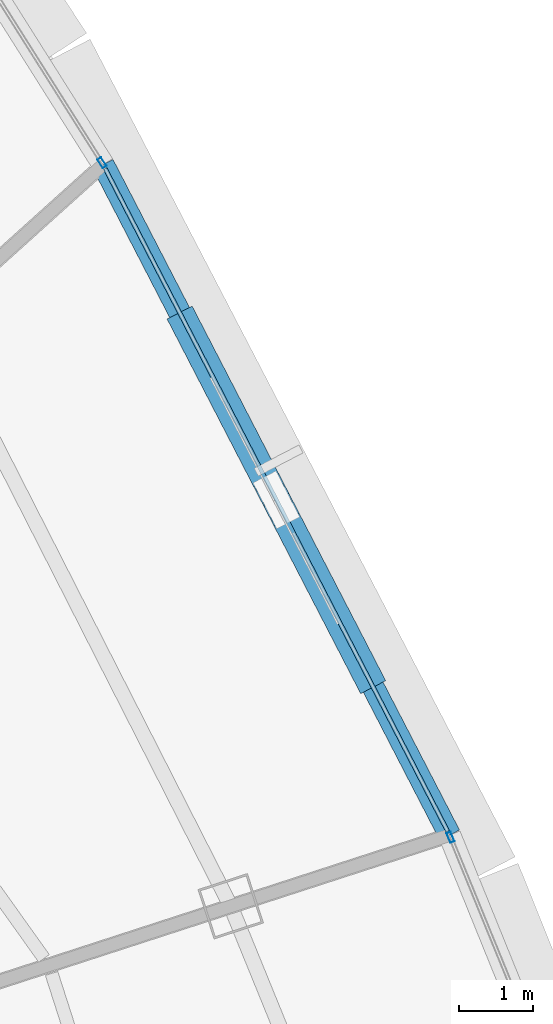
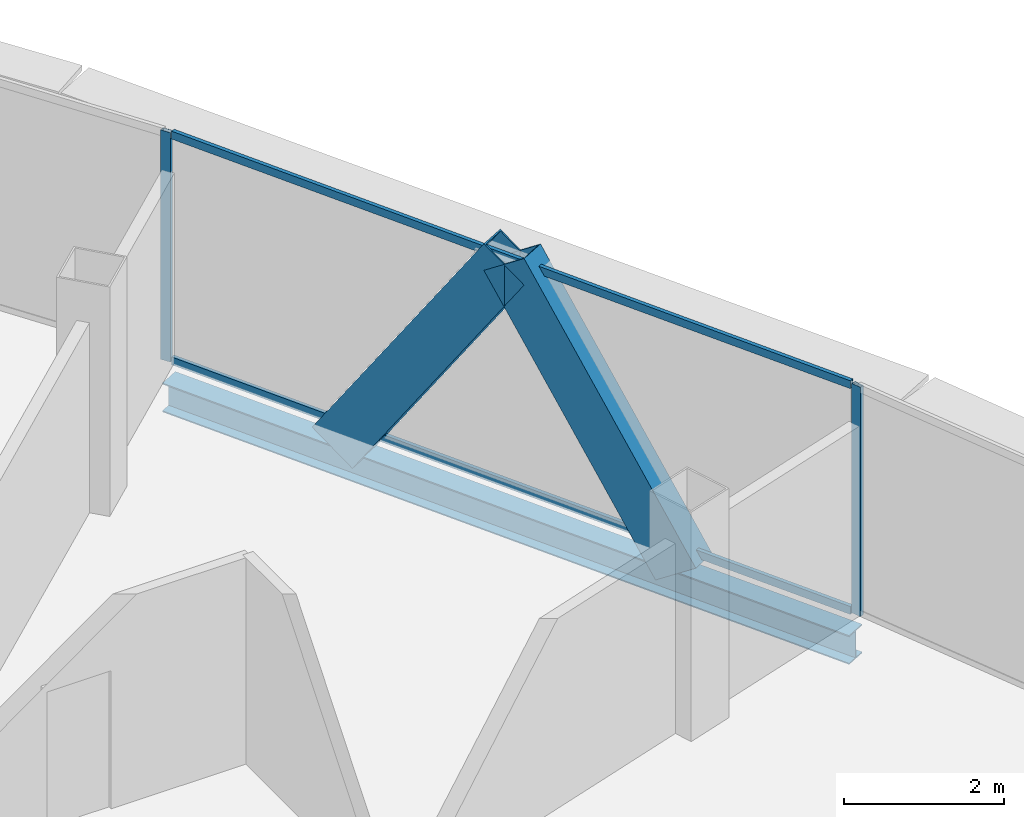
# One storey, part 15 of 26: 6 members, 1 beam, 3 elements without a shape of their own.
"""IFC4 building model written with IfcOpenShell, lengths in metres."""

from ifc_helpers import new_model, si_unit, direction, frame, origin, origin_2d, place, context, subcontext, project, spatial, hollow_rectangle, i_section, extrude, source, transform, mapped, material, layer, layer_set, material_profile, profile_set, type_object, element, aggregate, save


model = new_model("IFC4")

# Units and contexts
model_context = context("Model", 3, precision=1e-05, world=origin(), true_north=direction((0.0, 1.0)))
body_context = subcontext(model_context, "Body", "Model", "MODEL_VIEW")
ifc_project = project(units=[si_unit("LENGTHUNIT", "METRE"), si_unit("AREAUNIT", "SQUARE_METRE"), si_unit("VOLUMEUNIT", "CUBIC_METRE"), si_unit("PLANEANGLEUNIT", "RADIAN"), si_unit("MASSUNIT", "GRAM", prefix="KILO"), si_unit("THERMODYNAMICTEMPERATUREUNIT", "KELVIN"), si_unit("POWERUNIT", "WATT")], contexts=[model_context])

# Site, building, storey
site_placement = place(None, origin())
site = spatial("IfcSite", under=ifc_project, at=site_placement, CompositionType="ELEMENT")
building_placement = place(site_placement, origin())
building = spatial("IfcBuilding", under=site, at=building_placement, Name="Yunzhuo Pagoda Commons", CompositionType="ELEMENT")
storey_placement = place(building_placement, frame((0.0, 0.0, 340.510009765625)))
storey = spatial("IfcBuildingStorey", under=building, at=storey_placement, Name="L85", CompositionType="ELEMENT", Elevation=340.510009765625)

# Beam
ifc_material_1 = material(Name="Structural steel Q355B", Category="steel")
ifc_material_profile_1 = material_profile(ifc_material_1, i_section(OverallWidth=0.300048828125, OverallDepth=0.43994140625, WebThickness=0.010986328125, FlangeThickness=0.01806640625, at=origin_2d()), Name="Structural steel Q355B")
ifc_profile_set_1 = profile_set([ifc_material_profile_1], Name="Structural steel Q355B")
beam_type = type_object("IfcBeamType", Name="B-SP2 Beam HM 440x300x11x18", PredefinedType="BEAM", material=ifc_profile_set_1)
shared_shape_1 = source(origin(), body_context, "Body", "SweptSolid", [
    extrude(i_section(OverallWidth=0.300048828125, OverallDepth=0.43994140625, WebThickness=0.010986328125, FlangeThickness=0.01806640625, at=origin_2d()), origin(), (0.0, 0.0, 1.0), 10.1689453125),
])
beam_placement = place(storey_placement, frame((71.0029296875, 41.174072265625, -0.47998046875), z_axis=(-0.459091744447, 0.888388862031, 0.0), x_axis=(-0.888388862031, -0.459091744447, 0.0)))
element("IfcBeam", 1, at=beam_placement, inside=storey, type_object=beam_type, Name="L85 facade edge spandrel beam F2.2", PredefinedType="BEAM", context=body_context, shape_type="MappedRepresentation", body=[
    mapped(shared_shape_1, transform((0.0, 0.0, 0.0), scale=1.0)),
])

# Members
ifc_material_profile_2 = material_profile(ifc_material_1, hollow_rectangle(XDim=0.3798828125, YDim=0.719970703125, WallThickness=0.02001953125, at=origin_2d()), Name="Structural steel Q355B")
ifc_profile_set_2 = profile_set([ifc_material_profile_2], Name="Structural steel Q355B")
member_type_1 = type_object("IfcMemberType", Name="M-DL3 Brace BOX 720x380x20", PredefinedType="BRACE", material=ifc_profile_set_2)
shared_shape_2 = source(origin(), body_context, "Body", "SweptSolid", [
    extrude(hollow_rectangle(XDim=0.3798828125, YDim=0.719970703125, WallThickness=0.02001953125, at=origin_2d()), origin(), (0.0, 0.0, 1.0), 4.530517578125),
])
for number, where, z_axis, x_axis, name in (
    (2, (69.835693359375, 43.4326171875, -0.260009765625), (-0.257636265393, 0.498513509968, 0.827712410886), (-0.888374338506, -0.459119847843, 0.0), "L85 facade diamond brace F2.2L"),
    (3, (67.50146484375, 47.94970703125, -0.260009765625), (0.257585953682, -0.498520430441, 0.82772390137), (0.88841350482, 0.459044055025, 0.0), "L85 facade diamond brace F2.2R"),
):
    element("IfcMember", number, at=place(storey_placement, frame(where, z_axis=z_axis, x_axis=x_axis)), inside=storey, type_object=member_type_1, Name=name, PredefinedType="BRACE", context=body_context, shape_type="MappedRepresentation", body=[
        mapped(shared_shape_2, transform((0.0, 0.0, 0.0), scale=1.0)),
    ])

# Curtain wall, member
ifc_material_2 = material(Name="Anodized aluminium 6063-T6", Category="aluminium")
ifc_layer = layer(ifc_material_2, 0.139892578125)
ifc_layer_set = layer_set([ifc_layer], Name="Anodized aluminium 6063-T6")
curtain_wall_type = type_object("IfcCurtainWallType", Name="CW-HI High-Zone Ribbon Curtain Wall", PredefinedType="NOTDEFINED", material=ifc_layer_set)
curtain_wall_1_placement = place(storey_placement, origin())
curtain_wall_1 = element("IfcCurtainWall", 4, at=curtain_wall_1_placement, inside=storey, type_object=curtain_wall_type, Name="L85 curtain wall CW-L85-F2B2", PredefinedType="NOTDEFINED")
ifc_material_profile_3 = material_profile(ifc_material_2, hollow_rectangle(XDim=0.06005859375, YDim=0.139892578125, WallThickness=0.00341796875, at=origin_2d()), Name="Anodized aluminium 6063-T6")
ifc_profile_set_3 = profile_set([ifc_material_profile_3], Name="Anodized aluminium 6063-T6")
member_type_2 = type_object("IfcMemberType", Name="CW-HI-M Mullion RHS 140x60x3.5", PredefinedType="MULLION", material=ifc_profile_set_3)
shared_shape_3 = source(origin(), body_context, "Body", "SweptSolid", [
    extrude(hollow_rectangle(XDim=0.06005859375, YDim=0.139892578125, WallThickness=0.00341796875, at=origin_2d()), origin(), (0.0, 0.0, 1.0), 3.489990234375),
])
member_1_placement = place(storey_placement, frame((71.01416015625, 41.146240234375, 0.0), z_axis=(0.0, 0.0, 1.0), x_axis=(-0.925729863061, -0.37818543155, 0.0)))
member_1 = element("IfcMember", 5, at=member_1_placement, type_object=member_type_2, Name="CW mullion 2", PredefinedType="MULLION", context=body_context, shape_type="MappedRepresentation", body=[
    mapped(shared_shape_3, transform((0.0, 0.0, 0.0), scale=1.0)),
])
aggregate(curtain_wall_1, [member_1])

curtain_wall_2_placement = place(storey_placement, origin())
curtain_wall_2 = element("IfcCurtainWall", 6, at=curtain_wall_2_placement, inside=storey, type_object=curtain_wall_type, Name="L85 curtain wall CW-L85-F2B4", PredefinedType="NOTDEFINED")
member_2_placement = place(storey_placement, frame((66.318115234375, 50.2333984375, 0.0), z_axis=(0.0, 0.0, 1.0), x_axis=(-0.845817518552, -0.533472328532, 0.0)))
member_2 = element("IfcMember", 7, at=member_2_placement, type_object=member_type_2, Name="CW mullion 1", PredefinedType="MULLION", context=body_context, shape_type="MappedRepresentation", body=[
    mapped(shared_shape_3, transform((0.0, 0.0, 0.0), scale=1.0)),
])
aggregate(curtain_wall_2, [member_2])

# Curtain wall, members
curtain_wall_3_placement = place(storey_placement, origin())
curtain_wall_3 = element("IfcCurtainWall", 8, at=curtain_wall_3_placement, inside=storey, type_object=curtain_wall_type, Name="L85 curtain wall CW-L85-F2B3", PredefinedType="NOTDEFINED")
ifc_material_profile_4 = material_profile(ifc_material_2, hollow_rectangle(XDim=0.054931640625, YDim=0.1201171875, WallThickness=0.00341796875, at=origin_2d()), Name="Anodized aluminium 6063-T6")
ifc_profile_set_4 = profile_set([ifc_material_profile_4], Name="Anodized aluminium 6063-T6")
member_type_3 = type_object("IfcMemberType", Name="CW-HI-T Transom RHS 120x55x3.5", PredefinedType="USERDEFINED", material=ifc_profile_set_4)
shared_shape_4 = source(origin(), body_context, "Body", "SweptSolid", [
    extrude(hollow_rectangle(XDim=0.054931640625, YDim=0.1201171875, WallThickness=0.00341796875, at=origin_2d()), origin(), (0.0, 0.0, 1.0), 10.049072265625),
])
member_3_placement = place(storey_placement, frame((70.975341796875, 41.227294921875, 0.027587890625), z_axis=(-0.459097712328, 0.88838577799, 0.0), x_axis=(-0.88838577799, -0.459097712328, 0.0)))
member_3 = element("IfcMember", 9, at=member_3_placement, type_object=member_type_3, Name="CW transom 1.1", ObjectType="TRANSOM", PredefinedType="USERDEFINED", context=body_context, shape_type="MappedRepresentation", body=[
    mapped(shared_shape_4, transform((0.0, 0.0, 0.0), scale=1.0)),
])
member_4_placement = place(storey_placement, frame((70.975341796875, 41.227294921875, 3.46240234375), z_axis=(-0.459097712328, 0.88838577799, 0.0), x_axis=(-0.88838577799, -0.459097712328, 0.0)))
member_4 = element("IfcMember", 10, at=member_4_placement, type_object=member_type_3, Name="CW transom 1.2", ObjectType="TRANSOM", PredefinedType="USERDEFINED", context=body_context, shape_type="MappedRepresentation", body=[
    mapped(shared_shape_4, transform((0.0, 0.0, 0.0), scale=1.0)),
])
aggregate(curtain_wall_3, [member_3, member_4])

save(model, "model.ifc")
